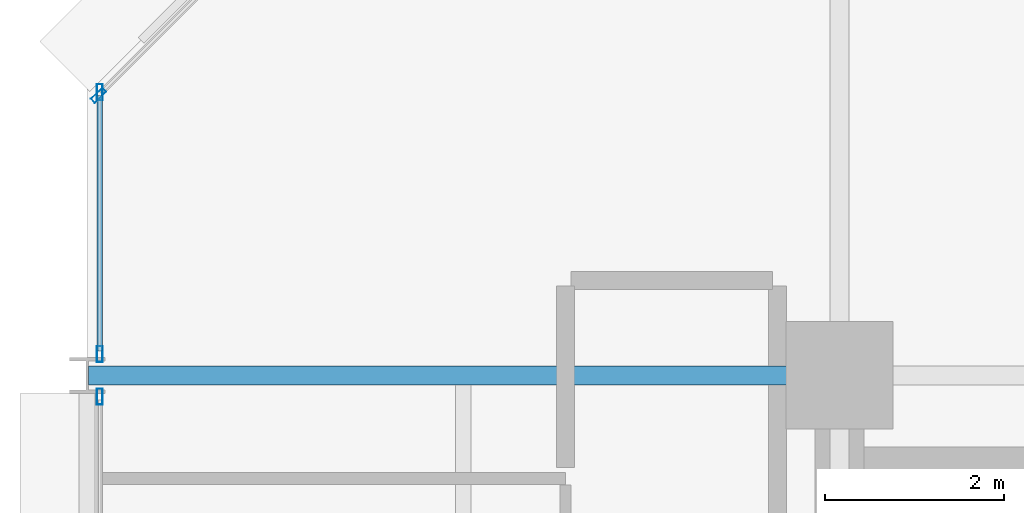
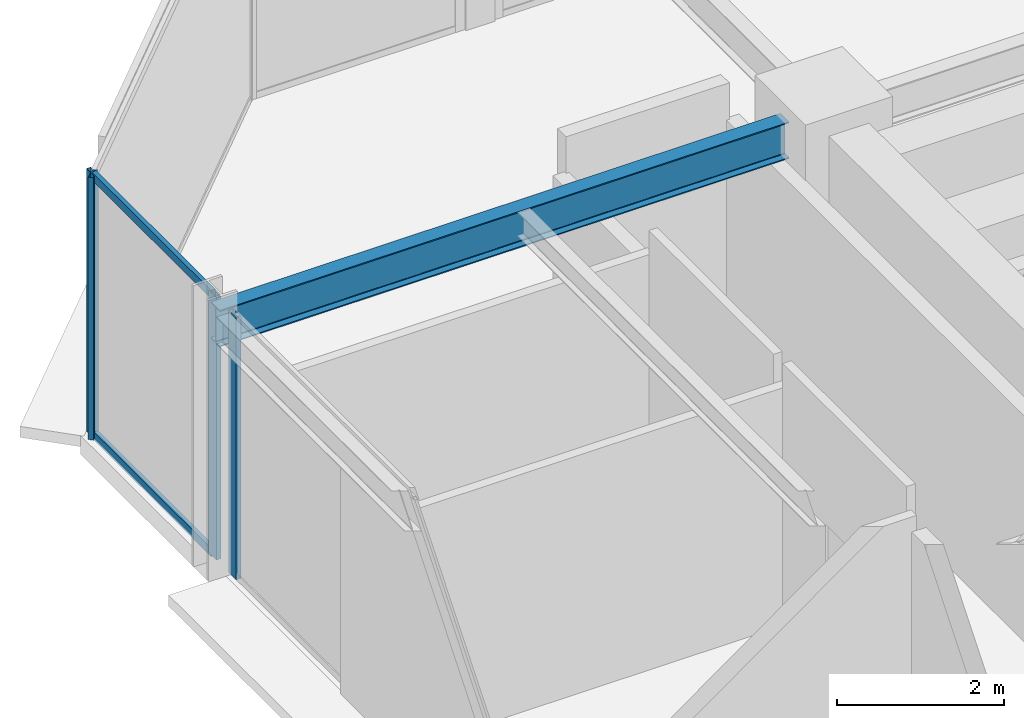
# One storey, part 25 of 39: 6 members, 1 beam, 3 elements without a shape of their own.
"""IFC4 building model written with IfcOpenShell, lengths in metres."""

from ifc_helpers import new_model, si_unit, direction, frame, origin, origin_2d, place, context, subcontext, project, spatial, hollow_rectangle, i_section, extrude, material, layer, layer_set, material_profile, profile_set, type_object, element, aggregate, save


model = new_model("IFC4")

# Units and contexts
model_context = context("Model", 3, precision=1e-05, world=origin(), true_north=direction((0.0, 1.0)))
body_context = subcontext(model_context, "Body", "Model", "MODEL_VIEW")
ifc_project = project(units=[si_unit("LENGTHUNIT", "METRE"), si_unit("AREAUNIT", "SQUARE_METRE"), si_unit("VOLUMEUNIT", "CUBIC_METRE"), si_unit("PLANEANGLEUNIT", "RADIAN"), si_unit("MASSUNIT", "GRAM", prefix="KILO")], contexts=[model_context])

# Site, building, storey
site_placement = place(None, origin())
site = spatial("IfcSite", under=ifc_project, at=site_placement, CompositionType="ELEMENT")
building_placement = place(site_placement, origin())
building = spatial("IfcBuilding", under=site, at=building_placement, Name="Nerrivon Quay Data Exchange", CompositionType="ELEMENT")
storey_placement = place(building_placement, frame((0.0, 0.0, 104.89990234375)))
storey = spatial("IfcBuildingStorey", under=building, at=storey_placement, Name="L24", CompositionType="ELEMENT", Elevation=104.89990234375)

# Beam
ifc_material_1 = material(Name="Steel Grade 350", Category="steel")
ifc_material_profile_1 = material_profile(ifc_material_1, i_section(OverallWidth=0.208984375, OverallDepth=0.532958984375, WebThickness=0.01025390625, FlangeThickness=0.015625, FilletRadius=0.013916015625, at=origin_2d()), Name="530UB92.4")
ifc_profile_set_1 = profile_set([ifc_material_profile_1], Name="Steel Grade 350")
beam_type = type_object("IfcBeamType", Name="BM-G3-530UB92", PredefinedType="BEAM", material=ifc_profile_set_1)
beam_placement = place(storey_placement, frame((0.012451171875, 42.0, 3.55859375), z_axis=(1.0, 0.0, 0.0), x_axis=(0.0, 1.0, 0.0)))
element("IfcBeam", 1, at=beam_placement, inside=storey, type_object=beam_type, Name="L24 EW Girder Y=42.0 (0.0..8.4)", PredefinedType="BEAM", context=body_context, shape_type="SweptSolid", body=[
    extrude(i_section(OverallWidth=0.208984375, OverallDepth=0.532958984375, WebThickness=0.01025390625, FlangeThickness=0.015625, FilletRadius=0.013916015625, at=origin_2d()), origin(), (0.0, 0.0, 1.0), 7.84765625),
])

# Curtain wall, member
ifc_material_2 = material(Name="Anodised aluminium 6063-T6", Category="aluminium")
ifc_layer = layer(ifc_material_2, 0.2099609375)
ifc_layer_set = layer_set([ifc_layer], Name="Anodised aluminium 6063-T6")
curtain_wall_type = type_object("IfcCurtainWallType", Name="CW-SYS-02", PredefinedType="NOTDEFINED", material=ifc_layer_set)
curtain_wall_1_placement = place(storey_placement, origin())
curtain_wall_1 = element("IfcCurtainWall", 2, at=curtain_wall_1_placement, inside=storey, type_object=curtain_wall_type, Name="L24 Unitised Curtain Wall 21", PredefinedType="NOTDEFINED")
ifc_material_profile_2 = material_profile(ifc_material_2, hollow_rectangle(XDim=0.06494140625, YDim=0.179931640625, WallThickness=0.00341796875, at=origin_2d()), Name="ALU-MULL-180x65")
ifc_profile_set_2 = profile_set([ifc_material_profile_2], Name="Anodised aluminium 6063-T6")
member_type_1 = type_object("IfcMemberType", Name="CWM-180x65", PredefinedType="MULLION", material=ifc_profile_set_2)
member_1_placement = place(storey_placement, frame((0.139892578125, 41.762451171875, 0.0), z_axis=(0.0, 0.0, 1.0), x_axis=(-1.0, 0.0, 0.0)))
member_1 = element("IfcMember", 3, at=member_1_placement, type_object=member_type_1, Name="CW02 mullion 2", PredefinedType="MULLION", context=body_context, shape_type="SweptSolid", body=[
    extrude(hollow_rectangle(XDim=0.06494140625, YDim=0.179931640625, WallThickness=0.00341796875, at=origin_2d()), origin(), (0.0, 0.0, 1.0), 3.8251953125),
])
aggregate(curtain_wall_1, [member_1])

# Curtain wall, members
curtain_wall_2_placement = place(storey_placement, origin())
curtain_wall_2 = element("IfcCurtainWall", 4, at=curtain_wall_2_placement, inside=storey, type_object=curtain_wall_type, Name="L24 Unitised Curtain Wall 22", PredefinedType="NOTDEFINED")
member_2_placement = place(storey_placement, frame((0.139892578125, 42.237548828125, 0.0), z_axis=(0.0, 0.0, 1.0), x_axis=(-1.0, 0.0, 0.0)))
member_2 = element("IfcMember", 5, at=member_2_placement, type_object=member_type_1, Name="CW02 mullion 1", PredefinedType="MULLION", context=body_context, shape_type="SweptSolid", body=[
    extrude(hollow_rectangle(XDim=0.06494140625, YDim=0.179931640625, WallThickness=0.00341796875, at=origin_2d()), origin(), (0.0, 0.0, 1.0), 3.8251953125),
])
member_3_placement = place(storey_placement, frame((0.139892578125, 45.16259765625, 0.0), z_axis=(0.0, 0.0, 1.0), x_axis=(-1.0, 0.0, 0.0)))
member_3 = element("IfcMember", 6, at=member_3_placement, type_object=member_type_1, Name="CW02 mullion 2", PredefinedType="MULLION", context=body_context, shape_type="SweptSolid", body=[
    extrude(hollow_rectangle(XDim=0.06494140625, YDim=0.179931640625, WallThickness=0.00341796875, at=origin_2d()), origin(), (0.0, 0.0, 1.0), 3.8251953125),
])

# Curtain wall, member
curtain_wall_3_placement = place(storey_placement, origin())
curtain_wall_3 = element("IfcCurtainWall", 7, at=curtain_wall_3_placement, inside=storey, type_object=curtain_wall_type, Name="L24 Unitised Curtain Wall 23", PredefinedType="NOTDEFINED")
member_4_placement = place(storey_placement, frame((0.12548828125, 45.12744140625, 0.0), z_axis=(0.0, 0.0, 1.0), x_axis=(-0.707106781187, 0.707106781187, 0.0)))
member_4 = element("IfcMember", 8, at=member_4_placement, type_object=member_type_1, Name="CW02 mullion 1", PredefinedType="MULLION", context=body_context, shape_type="SweptSolid", body=[
    extrude(hollow_rectangle(XDim=0.06494140625, YDim=0.179931640625, WallThickness=0.00341796875, at=origin_2d()), origin(), (0.0, 0.0, 1.0), 3.8251953125),
])
aggregate(curtain_wall_3, [member_4])

# Member
ifc_material_profile_3 = material_profile(ifc_material_2, hollow_rectangle(XDim=0.06005859375, YDim=0.1201171875, WallThickness=0.003173828125, at=origin_2d()), Name="ALU-TRAN-120x60")
ifc_profile_set_3 = profile_set([ifc_material_profile_3], Name="Anodised aluminium 6063-T6")
member_type_2 = type_object("IfcMemberType", Name="CWT-120x60", PredefinedType="USERDEFINED", material=ifc_profile_set_3)
member_5_placement = place(storey_placement, frame((0.139892578125, 42.27490234375, 0.03271484375), z_axis=(0.0, 1.0, 0.0), x_axis=(-1.0, 0.0, 0.0)))
member_5 = element("IfcMember", 9, at=member_5_placement, type_object=member_type_2, Name="CW02 transom 1.1", ObjectType="TRANSOM", PredefinedType="USERDEFINED", context=body_context, shape_type="SweptSolid", body=[
    extrude(hollow_rectangle(XDim=0.06005859375, YDim=0.1201171875, WallThickness=0.003173828125, at=origin_2d()), origin(), (0.0, 0.0, 1.0), 2.85009765625),
])

member_6_placement = place(storey_placement, frame((0.139892578125, 42.27490234375, 3.79248046875), z_axis=(0.0, 1.0, 0.0), x_axis=(-1.0, 0.0, 0.0)))
member_6 = element("IfcMember", 10, at=member_6_placement, type_object=member_type_2, Name="CW02 transom 1.2", ObjectType="TRANSOM", PredefinedType="USERDEFINED", context=body_context, shape_type="SweptSolid", body=[
    extrude(hollow_rectangle(XDim=0.06005859375, YDim=0.1201171875, WallThickness=0.003173828125, at=origin_2d()), origin(), (0.0, 0.0, 1.0), 2.85009765625),
])

aggregate(curtain_wall_2, [member_2, member_3, member_5, member_6])

save(model, "model.ifc")
